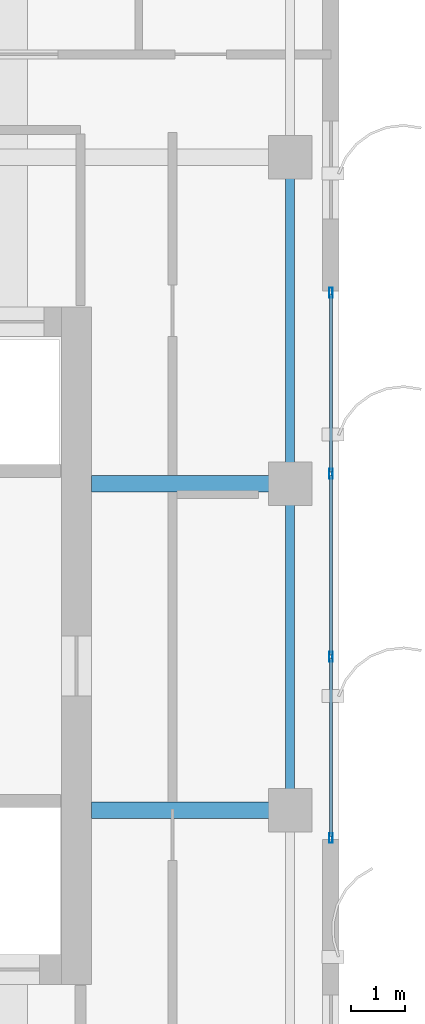
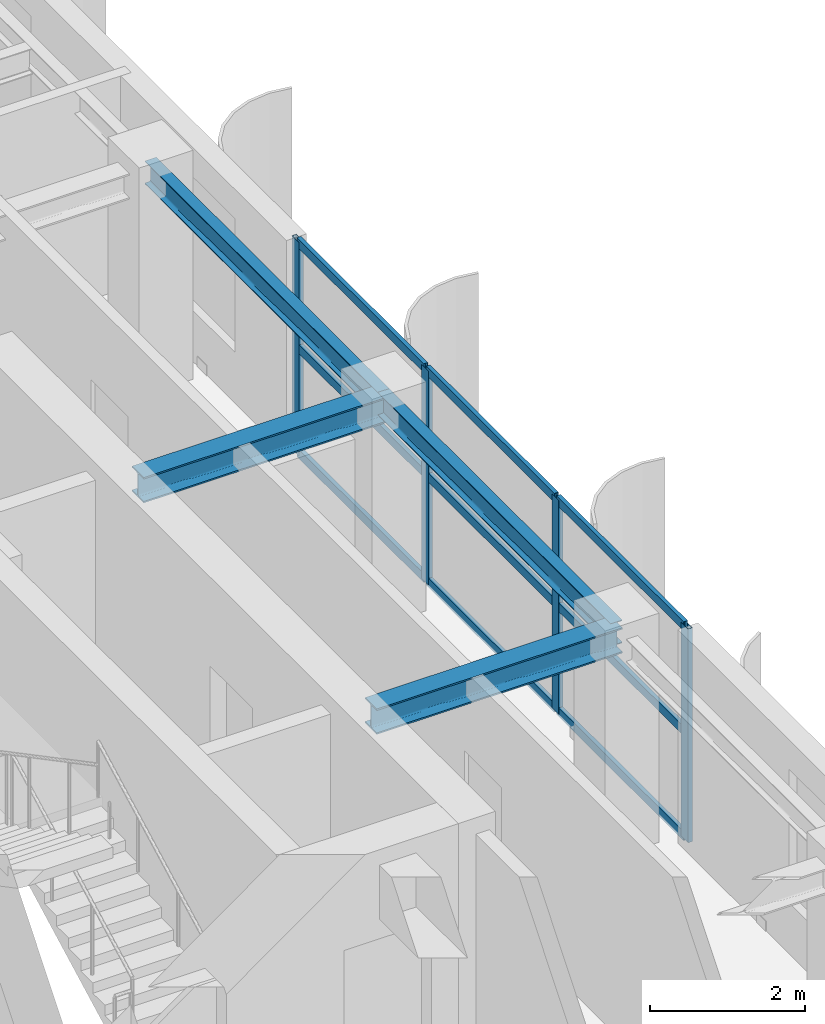
# One storey, part 12 of 22: 13 members, 4 beams, 1 element without a shape of its own.
"""IFC4 building model written with IfcOpenShell, lengths in metres."""

from ifc_helpers import new_model, si_unit, direction, frame, origin, origin_2d, place, context, subcontext, project, spatial, hollow_rectangle, i_section, extrude, source, transform, mapped, material, layer, layer_set, material_profile, profile_set, type_object, element, aggregate, save


model = new_model("IFC4")

# Units and contexts
model_context = context("Model", 3, precision=1e-05, world=origin(), true_north=direction((0.0, 1.0)))
body_context = subcontext(model_context, "Body", "Model", "MODEL_VIEW")
ifc_project = project(units=[si_unit("LENGTHUNIT", "METRE"), si_unit("AREAUNIT", "SQUARE_METRE"), si_unit("VOLUMEUNIT", "CUBIC_METRE"), si_unit("PLANEANGLEUNIT", "RADIAN"), si_unit("MASSUNIT", "GRAM", prefix="KILO")], contexts=[model_context])

# Site, building, storey
site_placement = place(None, origin())
site = spatial("IfcSite", under=ifc_project, at=site_placement, CompositionType="ELEMENT")
building_placement = place(site_placement, origin())
building = spatial("IfcBuilding", under=site, at=building_placement, Name="Khoralis Quay Care Tower", CompositionType="ELEMENT")
storey_placement = place(building_placement, frame((0.0, 0.0, 256.5)))
storey = spatial("IfcBuildingStorey", under=building, at=storey_placement, Name="L67", CompositionType="ELEMENT", Elevation=256.5)

# Beams
ifc_material_1 = material(Name="Steel S355", Category="steel")
ifc_material_profile_1 = material_profile(ifc_material_1, i_section(OverallWidth=0.169921875, OverallDepth=0.360107421875, WebThickness=0.008056640625, FlangeThickness=0.0126953125, FilletRadius=0.01806640625, at=origin_2d()), Name="Steel S355")
ifc_profile_set_1 = profile_set([ifc_material_profile_1], Name="Steel S355")
beam_type_1 = type_object("IfcBeamType", Name="BM-IPE360", PredefinedType="SPANDREL", material=ifc_profile_set_1)
shared_shape_1 = source(origin(), body_context, "Body", "SweptSolid", [
    extrude(i_section(OverallWidth=0.169921875, OverallDepth=0.360107421875, WebThickness=0.008056640625, FlangeThickness=0.0126953125, FilletRadius=0.01806640625, at=origin_2d()), origin(), (0.0, 0.0, 1.0), 6.0),
])
for number, where, z_axis, x_axis, name in (
    (1, (41.10009765625, 18.0, 3.179931640625), (0.0, 1.0, 0.0), (-1.0, 0.0, 0.0), "BM-TSP-L67-10"),
    (2, (41.10009765625, 24.0, 3.179931640625), (0.0, 1.0, 0.0), (-1.0, 0.0, 0.0), "BM-TSP-L67-11"),
):
    element("IfcBeam", number, at=place(storey_placement, frame(where, z_axis=z_axis, x_axis=x_axis)), inside=storey, type_object=beam_type_1, Name=name, PredefinedType="SPANDREL", context=body_context, shape_type="MappedRepresentation", body=[
        mapped(shared_shape_1, transform((0.0, 0.0, 0.0), scale=1.0)),
    ])
ifc_material_profile_2 = material_profile(ifc_material_1, i_section(OverallWidth=0.300048828125, OverallDepth=0.39990234375, WebThickness=0.013427734375, FlangeThickness=0.02392578125, FilletRadius=0.027099609375, at=origin_2d()), Name="Steel S355")
ifc_profile_set_2 = profile_set([ifc_material_profile_2], Name="Steel S355")
beam_type_2 = type_object("IfcBeamType", Name="BM-HEB400", PredefinedType="BEAM", material=ifc_profile_set_2)
shared_shape_2 = source(origin(), body_context, "Body", "SweptSolid", [
    extrude(i_section(OverallWidth=0.300048828125, OverallDepth=0.39990234375, WebThickness=0.013427734375, FlangeThickness=0.02392578125, FilletRadius=0.027099609375, at=origin_2d()), origin(), (0.0, 0.0, 1.0), 3.652099609375),
])
for number, where, z_axis, x_axis, name in (
    (3, (37.447998046875, 18.0, 3.159912109375), (1.0, 0.0, 0.0), (0.0, 1.0, 0.0), "BM-TGXE-L67-180"),
    (4, (37.447998046875, 24.0, 3.159912109375), (1.0, 0.0, 0.0), (0.0, 1.0, 0.0), "BM-TGXE-L67-240"),
):
    element("IfcBeam", number, at=place(storey_placement, frame(where, z_axis=z_axis, x_axis=x_axis)), inside=storey, type_object=beam_type_2, Name=name, PredefinedType="BEAM", context=body_context, shape_type="MappedRepresentation", body=[
        mapped(shared_shape_2, transform((0.0, 0.0, 0.0), scale=1.0)),
    ])

# Curtain wall, members
ifc_material_2 = material(Name="Pale anodised aluminium", Category="aluminium")
ifc_layer = layer(ifc_material_2, 0.159912109375)
ifc_layer_set = layer_set([ifc_layer], Name="Pale anodised aluminium")
curtain_wall_type = type_object("IfcCurtainWallType", Name="CW-SYS-Z3", PredefinedType="NOTDEFINED", material=ifc_layer_set)
curtain_wall_placement = place(storey_placement, origin())
curtain_wall = element("IfcCurtainWall", 5, at=curtain_wall_placement, inside=storey, type_object=curtain_wall_type, Name="L67 Unitised Curtain Wall CW-L67-P2-E5", PredefinedType="NOTDEFINED")
ifc_material_profile_3 = material_profile(ifc_material_2, hollow_rectangle(XDim=0.06494140625, YDim=0.179931640625, WallThickness=0.00390625, at=origin_2d()), Name="Pale anodised aluminium")
ifc_profile_set_3 = profile_set([ifc_material_profile_3], Name="Pale anodised aluminium")
member_type_1 = type_object("IfcMemberType", Name="CW-MUL-180", PredefinedType="MULLION", material=ifc_profile_set_3)
shared_shape_3 = source(origin(), body_context, "Body", "SweptSolid", [
    extrude(hollow_rectangle(XDim=0.06494140625, YDim=0.179931640625, WallThickness=0.00390625, at=origin_2d()), origin(), (0.0, 0.0, 1.0), 3.360107421875),
])
member_1_placement = place(storey_placement, frame((41.85009765625, 17.489990234375, 0.0), z_axis=(0.0, 0.0, 1.0), x_axis=(-1.0, 0.0, 0.0)))
member_1 = element("IfcMember", 6, at=member_1_placement, type_object=member_type_1, Name="CW3 mullion 1", PredefinedType="MULLION", context=body_context, shape_type="MappedRepresentation", body=[
    mapped(shared_shape_3, transform((0.0, 0.0, 0.0), scale=1.0)),
])
member_2_placement = place(storey_placement, frame((41.85009765625, 20.820068359375, 0.0), z_axis=(0.0, 0.0, 1.0), x_axis=(-1.0, 0.0, 0.0)))
member_2 = element("IfcMember", 7, at=member_2_placement, type_object=member_type_1, Name="CW3 mullion 2", PredefinedType="MULLION", context=body_context, shape_type="MappedRepresentation", body=[
    mapped(shared_shape_3, transform((0.0, 0.0, 0.0), scale=1.0)),
])
member_3_placement = place(storey_placement, frame((41.85009765625, 24.179931640625, 0.0), z_axis=(0.0, 0.0, 1.0), x_axis=(-1.0, 0.0, 0.0)))
member_3 = element("IfcMember", 8, at=member_3_placement, type_object=member_type_1, Name="CW3 mullion 3", PredefinedType="MULLION", context=body_context, shape_type="MappedRepresentation", body=[
    mapped(shared_shape_3, transform((0.0, 0.0, 0.0), scale=1.0)),
])
member_4_placement = place(storey_placement, frame((41.85009765625, 27.510009765625, 0.0), z_axis=(0.0, 0.0, 1.0), x_axis=(-1.0, 0.0, 0.0)))
member_4 = element("IfcMember", 9, at=member_4_placement, type_object=member_type_1, Name="CW3 mullion 4", PredefinedType="MULLION", context=body_context, shape_type="MappedRepresentation", body=[
    mapped(shared_shape_3, transform((0.0, 0.0, 0.0), scale=1.0)),
])
ifc_material_profile_4 = material_profile(ifc_material_2, hollow_rectangle(XDim=0.06005859375, YDim=0.139892578125, WallThickness=0.00390625, at=origin_2d()), Name="Pale anodised aluminium")
ifc_profile_set_4 = profile_set([ifc_material_profile_4], Name="Pale anodised aluminium")
member_type_2 = type_object("IfcMemberType", Name="CW-TRN-140", PredefinedType="USERDEFINED", material=ifc_profile_set_4)
shared_shape_4 = source(origin(), body_context, "Body", "SweptSolid", [
    extrude(hollow_rectangle(XDim=0.06005859375, YDim=0.139892578125, WallThickness=0.00390625, at=origin_2d()), origin(), (0.0, 0.0, 1.0), 3.27001953125),
])
member_5_placement = place(storey_placement, frame((41.85009765625, 17.52001953125, 0.030029296875), z_axis=(0.0, 1.0, 0.0), x_axis=(-1.0, 0.0, 0.0)))
member_5 = element("IfcMember", 10, at=member_5_placement, type_object=member_type_2, Name="CW3 transom 1.1", ObjectType="TRANSOM", PredefinedType="USERDEFINED", context=body_context, shape_type="MappedRepresentation", body=[
    mapped(shared_shape_4, transform((0.0, 0.0, 0.0), scale=1.0)),
])
member_6_placement = place(storey_placement, frame((41.85009765625, 17.52001953125, 1.679931640625), z_axis=(0.0, 1.0, 0.0), x_axis=(-1.0, 0.0, 0.0)))
member_6 = element("IfcMember", 11, at=member_6_placement, type_object=member_type_2, Name="CW3 transom 1.2", ObjectType="TRANSOM", PredefinedType="USERDEFINED", context=body_context, shape_type="MappedRepresentation", body=[
    mapped(shared_shape_4, transform((0.0, 0.0, 0.0), scale=1.0)),
])
member_7_placement = place(storey_placement, frame((41.85009765625, 17.52001953125, 3.330078125), z_axis=(0.0, 1.0, 0.0), x_axis=(-1.0, 0.0, 0.0)))
member_7 = element("IfcMember", 12, at=member_7_placement, type_object=member_type_2, Name="CW3 transom 1.3", ObjectType="TRANSOM", PredefinedType="USERDEFINED", context=body_context, shape_type="MappedRepresentation", body=[
    mapped(shared_shape_4, transform((0.0, 0.0, 0.0), scale=1.0)),
])
member_8_placement = place(storey_placement, frame((41.85009765625, 24.2099609375, 0.030029296875), z_axis=(0.0, 1.0, 0.0), x_axis=(-1.0, 0.0, 0.0)))
member_8 = element("IfcMember", 13, at=member_8_placement, type_object=member_type_2, Name="CW3 transom 3.1", ObjectType="TRANSOM", PredefinedType="USERDEFINED", context=body_context, shape_type="MappedRepresentation", body=[
    mapped(shared_shape_4, transform((0.0, 0.0, 0.0), scale=1.0)),
])
member_9_placement = place(storey_placement, frame((41.85009765625, 24.2099609375, 1.679931640625), z_axis=(0.0, 1.0, 0.0), x_axis=(-1.0, 0.0, 0.0)))
member_9 = element("IfcMember", 14, at=member_9_placement, type_object=member_type_2, Name="CW3 transom 3.2", ObjectType="TRANSOM", PredefinedType="USERDEFINED", context=body_context, shape_type="MappedRepresentation", body=[
    mapped(shared_shape_4, transform((0.0, 0.0, 0.0), scale=1.0)),
])
member_10_placement = place(storey_placement, frame((41.85009765625, 24.2099609375, 3.330078125), z_axis=(0.0, 1.0, 0.0), x_axis=(-1.0, 0.0, 0.0)))
member_10 = element("IfcMember", 15, at=member_10_placement, type_object=member_type_2, Name="CW3 transom 3.3", ObjectType="TRANSOM", PredefinedType="USERDEFINED", context=body_context, shape_type="MappedRepresentation", body=[
    mapped(shared_shape_4, transform((0.0, 0.0, 0.0), scale=1.0)),
])
shared_shape_5 = source(origin(), body_context, "Body", "SweptSolid", [
    extrude(hollow_rectangle(XDim=0.06005859375, YDim=0.139892578125, WallThickness=0.00390625, at=origin_2d()), origin(), (0.0, 0.0, 1.0), 3.2998046875),
])
member_11_placement = place(storey_placement, frame((41.85009765625, 20.85009765625, 0.030029296875), z_axis=(0.0, 1.0, 0.0), x_axis=(-1.0, 0.0, 0.0)))
member_11 = element("IfcMember", 16, at=member_11_placement, type_object=member_type_2, Name="CW3 transom 2.1", ObjectType="TRANSOM", PredefinedType="USERDEFINED", context=body_context, shape_type="MappedRepresentation", body=[
    mapped(shared_shape_5, transform((0.0, 0.0, 0.0), scale=1.0)),
])
member_12_placement = place(storey_placement, frame((41.85009765625, 20.85009765625, 1.679931640625), z_axis=(0.0, 1.0, 0.0), x_axis=(-1.0, 0.0, 0.0)))
member_12 = element("IfcMember", 17, at=member_12_placement, type_object=member_type_2, Name="CW3 transom 2.2", ObjectType="TRANSOM", PredefinedType="USERDEFINED", context=body_context, shape_type="MappedRepresentation", body=[
    mapped(shared_shape_5, transform((0.0, 0.0, 0.0), scale=1.0)),
])
member_13_placement = place(storey_placement, frame((41.85009765625, 20.85009765625, 3.330078125), z_axis=(0.0, 1.0, 0.0), x_axis=(-1.0, 0.0, 0.0)))
member_13 = element("IfcMember", 18, at=member_13_placement, type_object=member_type_2, Name="CW3 transom 2.3", ObjectType="TRANSOM", PredefinedType="USERDEFINED", context=body_context, shape_type="MappedRepresentation", body=[
    mapped(shared_shape_5, transform((0.0, 0.0, 0.0), scale=1.0)),
])
aggregate(curtain_wall, [member_1, member_2, member_3, member_4, member_5, member_6, member_7, member_11, member_12, member_13, member_8, member_9, member_10])

save(model, "model.ifc")
